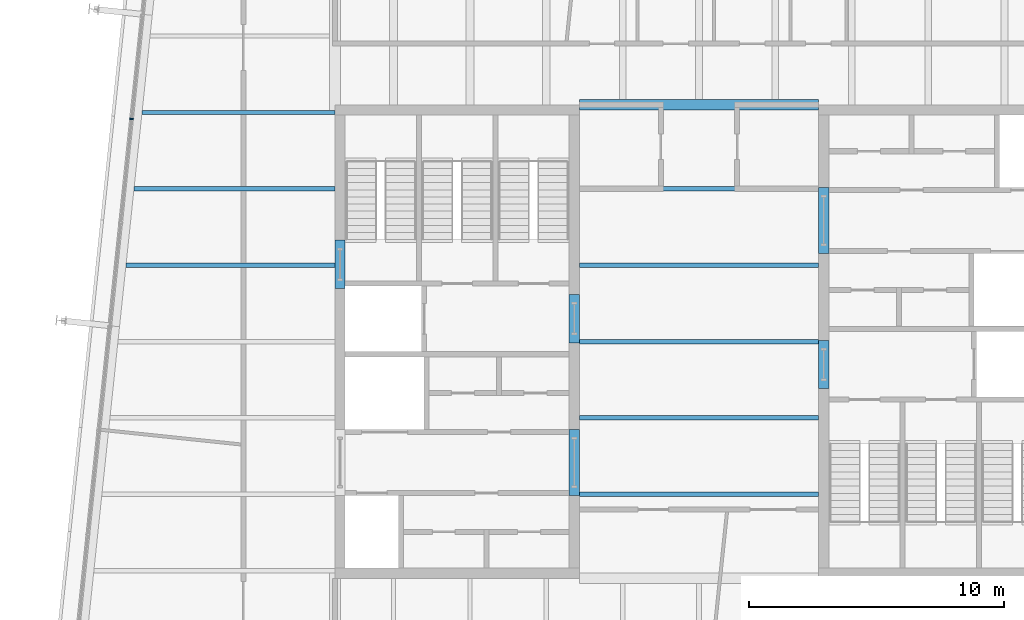
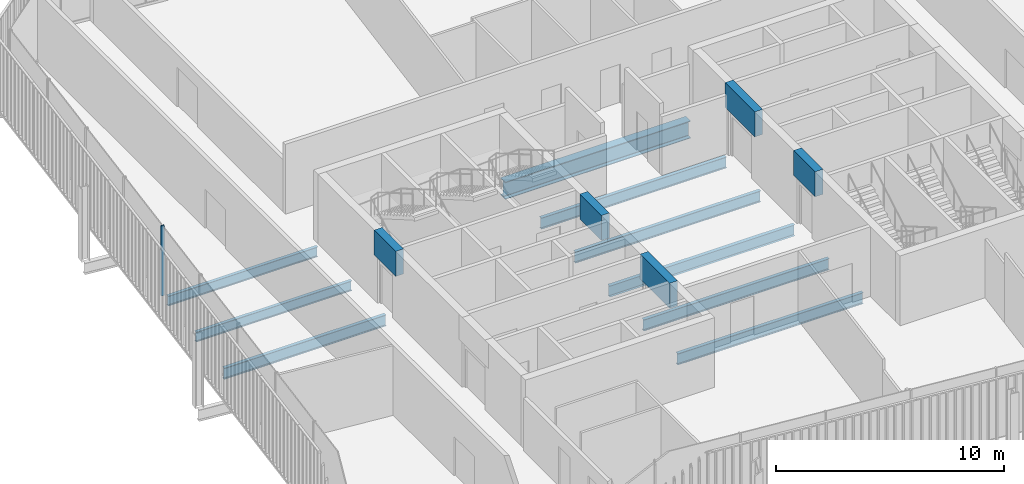
# One storey, part 8 of 20: 14 beams, 1 member, 1 element without a shape of its own.
"""IFC4 building model written with IfcOpenShell, lengths in metres."""

from ifc_helpers import new_model, si_unit, direction, frame, origin, origin_2d, place, context, subcontext, project, spatial, rectangle, i_section, extrude, material, layer, layer_set, material_profile, profile_set, type_object, element, aggregate, save


model = new_model("IFC4")

# Units and contexts
model_context = context("Model", 3, precision=1e-05, world=origin(), true_north=direction((0.0, 1.0)))
body_context = subcontext(model_context, "Body", "Model", "MODEL_VIEW")
ifc_project = project(units=[si_unit("LENGTHUNIT", "METRE"), si_unit("AREAUNIT", "SQUARE_METRE"), si_unit("VOLUMEUNIT", "CUBIC_METRE"), si_unit("PLANEANGLEUNIT", "RADIAN"), si_unit("MASSUNIT", "GRAM", prefix="KILO")], contexts=[model_context])

# Site, building, storey
site_placement = place(None, origin())
site = spatial("IfcSite", under=ifc_project, at=site_placement, CompositionType="ELEMENT")
building_placement = place(site_placement, origin())
building = spatial("IfcBuilding", under=site, at=building_placement, Name="Millrace Tower", CompositionType="ELEMENT")
storey_placement = place(building_placement, frame((0.0, 0.0, 322.60009765625)))
storey = spatial("IfcBuildingStorey", under=building, at=storey_placement, Name="L74", CompositionType="ELEMENT", Elevation=322.60009765625)

# Curtain wall, member
ifc_material_1 = material(Name="Aluminium and glass", Category="aluminium")
ifc_layer = layer(ifc_material_1, 0.14990234375)
ifc_layer_set = layer_set([ifc_layer], Name="Aluminium and glass")
curtain_wall_type = type_object("IfcCurtainWallType", Name="CW-1 office vision curtain wall", PredefinedType="NOTDEFINED", material=ifc_layer_set)
curtain_wall_placement = place(storey_placement, origin())
curtain_wall = element("IfcCurtainWall", 1, at=curtain_wall_placement, inside=storey, type_object=curtain_wall_type, Name="Curtain wall E-F08 L74", PredefinedType="NOTDEFINED")
ifc_material_2 = material(Name="Aluminium", Category="aluminium")
ifc_material_profile_1 = material_profile(ifc_material_2, rectangle(XDim=0.06494140625, YDim=0.14990234375, at=origin_2d()))
ifc_profile_set_1 = profile_set([ifc_material_profile_1], Name="Aluminium")
member_type = type_object("IfcMemberType", Name="CW-1 office vision curtain wall mullion", PredefinedType="MULLION", material=ifc_profile_set_1)
member_placement = place(storey_placement, frame((-22.2890625, 8.742431640625, 0.139892578125), z_axis=(0.0, 0.0, 1.0), x_axis=(-0.104528455196, -0.994521896217, 0.0)))
member = element("IfcMember", 2, at=member_placement, type_object=member_type, Name="CW1 mullion E-F08.5", PredefinedType="MULLION", context=body_context, shape_type="SweptSolid", body=[
    extrude(rectangle(XDim=0.06494140625, YDim=0.14990234375, at=origin_2d()), origin(), (0.0, 0.0, 1.0), 3.760009765625),
])
aggregate(curtain_wall, [member])

# Beams
ifc_material_3 = material(Name="Concrete C60", Category="concrete")
ifc_material_profile_2 = material_profile(ifc_material_3, rectangle(XDim=0.39990234375, YDim=1.340087890625, at=origin_2d()))
ifc_profile_set_2 = profile_set([ifc_material_profile_2], Name="Concrete C60")
beam_type_1 = type_object("IfcBeamType", Name="Coupling beam 400 x 1340 Concrete C60, 1300 opening", PredefinedType="BEAM", material=ifc_profile_set_2)
beam_1_placement = place(storey_placement, frame((-14.10009765625, 2.080078125, 3.06982421875), z_axis=(0.0, 1.0, 0.0), x_axis=(-1.0, 0.0, 0.0)))
element("IfcBeam", 3, at=beam_1_placement, inside=storey, type_object=beam_type_1, Name="Coupling beam W L74", PredefinedType="BEAM", context=body_context, shape_type="SweptSolid", body=[
    extrude(rectangle(XDim=0.39990234375, YDim=1.340087890625, at=origin_2d()), origin(), (0.0, 0.0, 1.0), 1.89990234375),
])
for number, where, z_axis, x_axis, name in (
    (4, (-4.89990234375, -0.050048828125, 3.06982421875), (0.0, 1.0, 0.0), (-1.0, 0.0, 0.0), "Coupling beam W L74"),
    (5, (4.89990234375, 0.050048828125, 3.06982421875), (0.0, -1.0, 0.0), (1.0, 0.0, 0.0), "Coupling beam E L74"),
):
    element("IfcBeam", number, at=place(storey_placement, frame(where, z_axis=z_axis, x_axis=x_axis)), inside=storey, type_object=beam_type_1, Name=name, PredefinedType="BEAM", context=body_context, shape_type="SweptSolid", body=[
        extrude(rectangle(XDim=0.39990234375, YDim=1.340087890625, at=origin_2d()), origin(), (0.0, 0.0, 1.0), 1.900146484375),
    ])
ifc_material_4 = material(Name="Concrete C60", Category="concrete")
ifc_material_profile_3 = material_profile(ifc_material_4, rectangle(XDim=0.39990234375, YDim=1.340087890625, at=origin_2d()))
ifc_profile_set_3 = profile_set([ifc_material_profile_3], Name="Concrete C60")
beam_type_2 = type_object("IfcBeamType", Name="Coupling beam 400 x 1340 Concrete C60, 2000 opening", PredefinedType="BEAM", material=ifc_profile_set_3)
for number, where, z_axis, x_axis, name in (
    (6, (-4.89990234375, -6.050048828125, 3.06982421875), (0.0, 1.0, 0.0), (-1.0, 0.0, 0.0), "Coupling beam W L74"),
    (7, (4.89990234375, 6.050048828125, 3.06982421875), (0.0, -1.0, 0.0), (1.0, 0.0, 0.0), "Coupling beam E L74"),
):
    element("IfcBeam", number, at=place(storey_placement, frame(where, z_axis=z_axis, x_axis=x_axis)), inside=storey, type_object=beam_type_2, Name=name, PredefinedType="BEAM", context=body_context, shape_type="SweptSolid", body=[
        extrude(rectangle(XDim=0.39990234375, YDim=1.340087890625, at=origin_2d()), origin(), (0.0, 0.0, 1.0), 2.60009765625),
    ])
ifc_material_5 = material(Name="Steel ASTM A992 Grade 50", Category="steel")
ifc_material_profile_4 = material_profile(ifc_material_5, i_section(OverallWidth=0.1650390625, OverallDepth=0.52587890625, WebThickness=0.0087890625, FlangeThickness=0.011474609375, FilletRadius=0.0126953125, at=origin_2d()))
ifc_profile_set_4 = profile_set([ifc_material_profile_4], Name="Steel ASTM A992 Grade 50")
beam_type_3 = type_object("IfcBeamType", Name="Floor beam W21x44", PredefinedType="JOIST", material=ifc_profile_set_4)
beam_2_placement = place(storey_placement, frame((-22.19287109375, 6.0, -0.423095703125), z_axis=(1.0, 0.0, 0.0), x_axis=(0.0, 1.0, 0.0)))
element("IfcBeam", 8, at=beam_2_placement, inside=storey, type_object=beam_type_3, Name="BM-E-L74-S1-S021", PredefinedType="JOIST", context=body_context, shape_type="SweptSolid", body=[
    extrude(i_section(OverallWidth=0.1650390625, OverallDepth=0.52587890625, WebThickness=0.0087890625, FlangeThickness=0.011474609375, FilletRadius=0.0126953125, at=origin_2d()), origin(), (0.0, 0.0, 1.0), 7.892822265625),
])
beam_3_placement = place(storey_placement, frame((-21.87744140625, 9.0, -0.423095703125), z_axis=(1.0, 0.0, 0.0), x_axis=(0.0, 1.0, 0.0)))
element("IfcBeam", 9, at=beam_3_placement, inside=storey, type_object=beam_type_3, Name="BM-E-L74-S1-S023", PredefinedType="JOIST", context=body_context, shape_type="SweptSolid", body=[
    extrude(i_section(OverallWidth=0.1650390625, OverallDepth=0.52587890625, WebThickness=0.0087890625, FlangeThickness=0.011474609375, FilletRadius=0.0126953125, at=origin_2d()), origin(), (0.0, 0.0, 1.0), 7.577392578125),
])
ifc_material_6 = material(Name="Steel ASTM A992 Grade 50", Category="steel")
ifc_material_profile_5 = material_profile(ifc_material_6, i_section(OverallWidth=0.177978515625, OverallDepth=0.599365234375, WebThickness=0.010009765625, FlangeThickness=0.012939453125, FilletRadius=0.012939453125, at=origin_2d()))
ifc_profile_set_5 = profile_set([ifc_material_profile_5], Name="Steel ASTM A992 Grade 50")
beam_type_4 = type_object("IfcBeamType", Name="Floor beam W24x55", PredefinedType="JOIST", material=ifc_profile_set_5)
for number, where, z_axis, x_axis, name in (
    (10, (-4.699951171875, -6.0, -0.459716796875), (1.0, 0.0, 0.0), (0.0, 1.0, 0.0), "BM-E-L74-S1-S008"),
    (11, (-4.699951171875, -3.0, -0.459716796875), (1.0, 0.0, 0.0), (0.0, 1.0, 0.0), "BM-E-L74-S1-S011"),
    (12, (-4.699951171875, 0.0, -0.459716796875), (1.0, 0.0, 0.0), (0.0, 1.0, 0.0), "BM-E-L74-S1-S014"),
    (13, (-4.699951171875, 3.0, -0.459716796875), (1.0, 0.0, 0.0), (0.0, 1.0, 0.0), "BM-E-L74-S1-S017"),
):
    element("IfcBeam", number, at=place(storey_placement, frame(where, z_axis=z_axis, x_axis=x_axis)), inside=storey, type_object=beam_type_4, Name=name, PredefinedType="JOIST", context=body_context, shape_type="SweptSolid", body=[
        extrude(i_section(OverallWidth=0.177978515625, OverallDepth=0.599365234375, WebThickness=0.010009765625, FlangeThickness=0.012939453125, FilletRadius=0.012939453125, at=origin_2d()), origin(), (0.0, 0.0, 1.0), 9.39990234375),
    ])
beam_4_placement = place(storey_placement, frame((-22.508056640625, 3.0, -0.459716796875), z_axis=(1.0, 0.0, 0.0), x_axis=(0.0, 1.0, 0.0)))
element("IfcBeam", 14, at=beam_4_placement, inside=storey, type_object=beam_type_4, Name="BM-E-L74-S1-S018", PredefinedType="JOIST", context=body_context, shape_type="SweptSolid", body=[
    extrude(i_section(OverallWidth=0.177978515625, OverallDepth=0.599365234375, WebThickness=0.010009765625, FlangeThickness=0.012939453125, FilletRadius=0.012939453125, at=origin_2d()), origin(), (0.0, 0.0, 1.0), 8.2080078125),
])
beam_5_placement = place(storey_placement, frame((-4.699951171875, 6.0, -0.459716796875), z_axis=(1.0, 0.0, 0.0), x_axis=(0.0, 1.0, 0.0)))
element("IfcBeam", 15, at=beam_5_placement, inside=storey, type_object=beam_type_4, Name="BM-E-L74-S1-S020", PredefinedType="JOIST", context=body_context, shape_type="SweptSolid", body=[
    extrude(i_section(OverallWidth=0.177978515625, OverallDepth=0.599365234375, WebThickness=0.010009765625, FlangeThickness=0.012939453125, FilletRadius=0.012939453125, at=origin_2d()), origin(), (0.0, 0.0, 1.0), 9.39990234375),
])
ifc_material_7 = material(Name="Steel ASTM A992 Grade 50", Category="steel")
ifc_material_profile_6 = material_profile(ifc_material_7, i_section(OverallWidth=0.419189453125, OverallDepth=0.927001953125, WebThickness=0.019287109375, FlangeThickness=0.031982421875, FilletRadius=0.024169921875, at=origin_2d()))
ifc_profile_set_6 = profile_set([ifc_material_profile_6], Name="Steel ASTM A992 Grade 50")
beam_type_5 = type_object("IfcBeamType", Name="Girder short span W36x231", PredefinedType="BEAM", material=ifc_profile_set_6)
beam_6_placement = place(storey_placement, frame((-4.699951171875, 9.300048828125, -0.62353515625), z_axis=(1.0, 0.0, 0.0), x_axis=(0.0, 1.0, 0.0)))
element("IfcBeam", 16, at=beam_6_placement, inside=storey, type_object=beam_type_5, Name="BM-E-L74-S1-G058", PredefinedType="BEAM", context=body_context, shape_type="SweptSolid", body=[
    extrude(i_section(OverallWidth=0.419189453125, OverallDepth=0.927001953125, WebThickness=0.019287109375, FlangeThickness=0.031982421875, FilletRadius=0.024169921875, at=origin_2d()), origin(), (0.0, 0.0, 1.0), 9.39990234375),
])

save(model, "model.ifc")
